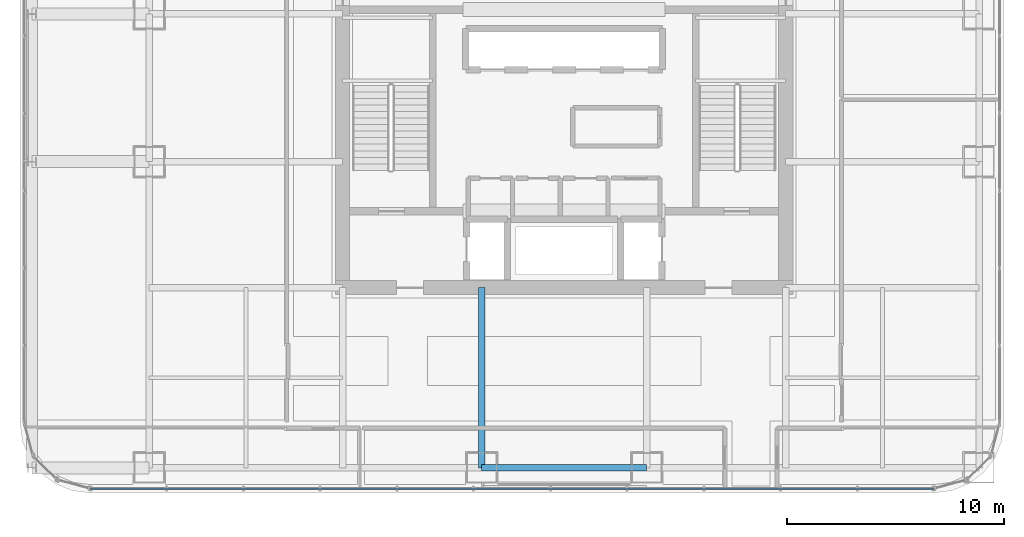
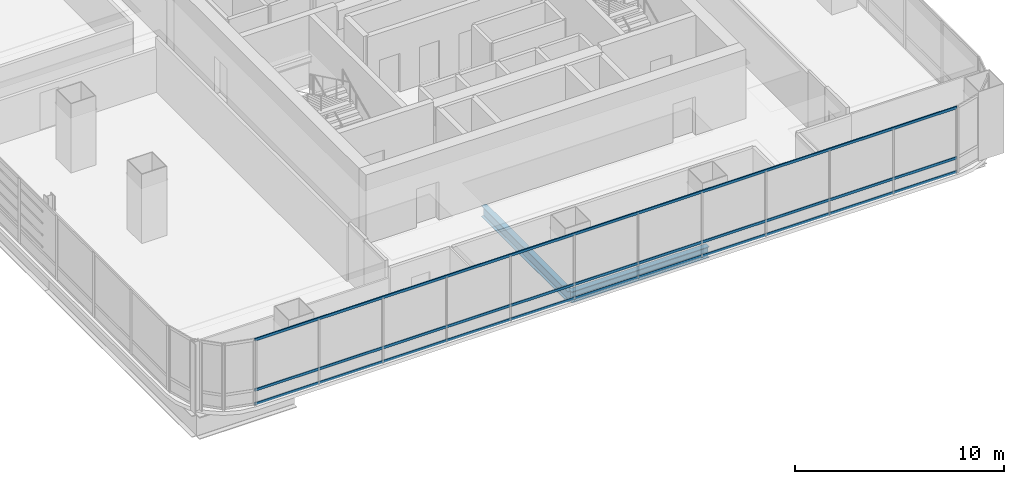
# One storey, part 8 of 38: 3 members, 2 beams, 1 element without a shape of its own.
"""IFC4 building model written with IfcOpenShell, lengths in metres."""

from ifc_helpers import new_model, si_unit, direction, frame, origin, origin_2d, place, context, subcontext, project, spatial, hollow_rectangle, i_section, extrude, material, material_profile, profile_set, type_object, element, aggregate, save


model = new_model("IFC4")

# Units and contexts
model_context = context("Model", 3, precision=1e-05, world=origin(), true_north=direction((0.0, 1.0)))
body_context = subcontext(model_context, "Body", "Model", "MODEL_VIEW")
ifc_project = project(units=[si_unit("LENGTHUNIT", "METRE"), si_unit("AREAUNIT", "SQUARE_METRE"), si_unit("VOLUMEUNIT", "CUBIC_METRE"), si_unit("PLANEANGLEUNIT", "RADIAN"), si_unit("MASSUNIT", "GRAM", prefix="KILO")], contexts=[model_context])

# Site, building, storey
site_placement = place(None, origin())
site = spatial("IfcSite", under=ifc_project, at=site_placement, CompositionType="ELEMENT")
building_placement = place(site_placement, origin())
building = spatial("IfcBuilding", under=site, at=building_placement, Name="Punatoya Terracotta Tower", CompositionType="ELEMENT")
storey_placement = place(building_placement, frame((0.0, 0.0, 160.050048828125)))
storey = spatial("IfcBuildingStorey", under=building, at=storey_placement, Name="L37", CompositionType="ELEMENT", Elevation=160.050048828125)

# Beams
ifc_material_1 = material(Name="Steel S355", Category="steel")
ifc_material_profile_1 = material_profile(ifc_material_1, i_section(OverallWidth=0.300048828125, OverallDepth=0.64990234375, WebThickness=0.01611328125, FlangeThickness=0.031005859375, FilletRadius=0.01806640625, at=origin_2d()))
ifc_profile_set_1 = profile_set([ifc_material_profile_1], Name="Steel S355")
beam_type = type_object("IfcBeamType", Name="BM-PRI-650", PredefinedType="BEAM", material=ifc_profile_set_1)
beam_1_placement = place(storey_placement, frame((-3.800048828125, -17.5, -0.545166015625), z_axis=(1.0, 0.0, 0.0), x_axis=(0.0, 1.0, 0.0)))
element("IfcBeam", 1, at=beam_1_placement, inside=storey, type_object=beam_type, Name="BM-L37-RG-S2", PredefinedType="BEAM", context=body_context, shape_type="SweptSolid", body=[
    extrude(i_section(OverallWidth=0.300048828125, OverallDepth=0.64990234375, WebThickness=0.01611328125, FlangeThickness=0.031005859375, FilletRadius=0.01806640625, at=origin_2d()), origin(), (0.0, 0.0, 1.0), 7.60009765625),
])
beam_2_placement = place(storey_placement, frame((-3.800048828125, -17.5, -0.545166015625), z_axis=(0.0, 1.0, 0.0), x_axis=(-1.0, 0.0, 0.0)))
element("IfcBeam", 2, at=beam_2_placement, inside=storey, type_object=beam_type, Name="BM-L37-PR-S2", PredefinedType="BEAM", context=body_context, shape_type="SweptSolid", body=[
    extrude(i_section(OverallWidth=0.300048828125, OverallDepth=0.64990234375, WebThickness=0.01611328125, FlangeThickness=0.031005859375, FilletRadius=0.01806640625, at=origin_2d()), origin(), (0.0, 0.0, 1.0), 8.300048828125),
])

# Curtain wall, members
ifc_material_2 = material(Name="Aluminium 6063-T6 + Double Low-E Glass", Category="aluminium")
curtain_wall_type = type_object("IfcCurtainWallType", Name="CW-M2", PredefinedType="NOTDEFINED", material=ifc_material_2)
curtain_wall_placement = place(storey_placement, origin())
curtain_wall = element("IfcCurtainWall", 3, at=curtain_wall_placement, inside=storey, type_object=curtain_wall_type, Name="L37 Curtain Wall CW-L37-S01-1", PredefinedType="NOTDEFINED")
ifc_material_3 = material(Name="Aluminium 6063-T6", Category="aluminium")
ifc_material_profile_2 = material_profile(ifc_material_3, hollow_rectangle(XDim=0.068115234375, YDim=0.14990234375, WallThickness=0.00390625, at=origin_2d()))
ifc_profile_set_2 = profile_set([ifc_material_profile_2], Name="Aluminium 6063-T6")
member_type = type_object("IfcMemberType", Name="CW-TRN-TYP", PredefinedType="USERDEFINED", material=ifc_profile_set_2)
member_1_placement = place(storey_placement, frame((-21.8369140625, -18.449951171875, 0.0400390625), z_axis=(1.0, 0.0, 0.0), x_axis=(0.0, 1.0, 0.0)))
member_1 = element("IfcMember", 4, at=member_1_placement, type_object=member_type, Name="CW-L37-S01-1 Transom 1", ObjectType="TRANSOM", PredefinedType="USERDEFINED", context=body_context, shape_type="SweptSolid", body=[
    extrude(hollow_rectangle(XDim=0.068115234375, YDim=0.14990234375, WallThickness=0.00390625, at=origin_2d()), origin(), (0.0, 0.0, 1.0), 38.873779296875),
])
member_2_placement = place(storey_placement, frame((-21.8369140625, -18.449951171875, 0.849853515625), z_axis=(1.0, 0.0, 0.0), x_axis=(0.0, 1.0, 0.0)))
member_2 = element("IfcMember", 5, at=member_2_placement, type_object=member_type, Name="CW-L37-S01-1 Transom 2", ObjectType="TRANSOM", PredefinedType="USERDEFINED", context=body_context, shape_type="SweptSolid", body=[
    extrude(hollow_rectangle(XDim=0.068115234375, YDim=0.14990234375, WallThickness=0.00390625, at=origin_2d()), origin(), (0.0, 0.0, 1.0), 38.873779296875),
])
member_3_placement = place(storey_placement, frame((-21.8369140625, -18.449951171875, 3.7900390625), z_axis=(1.0, 0.0, 0.0), x_axis=(0.0, 1.0, 0.0)))
member_3 = element("IfcMember", 6, at=member_3_placement, type_object=member_type, Name="CW-L37-S01-1 Transom 3", ObjectType="TRANSOM", PredefinedType="USERDEFINED", context=body_context, shape_type="SweptSolid", body=[
    extrude(hollow_rectangle(XDim=0.068115234375, YDim=0.14990234375, WallThickness=0.00390625, at=origin_2d()), origin(), (0.0, 0.0, 1.0), 38.873779296875),
])
aggregate(curtain_wall, [member_1, member_2, member_3])

save(model, "model.ifc")
